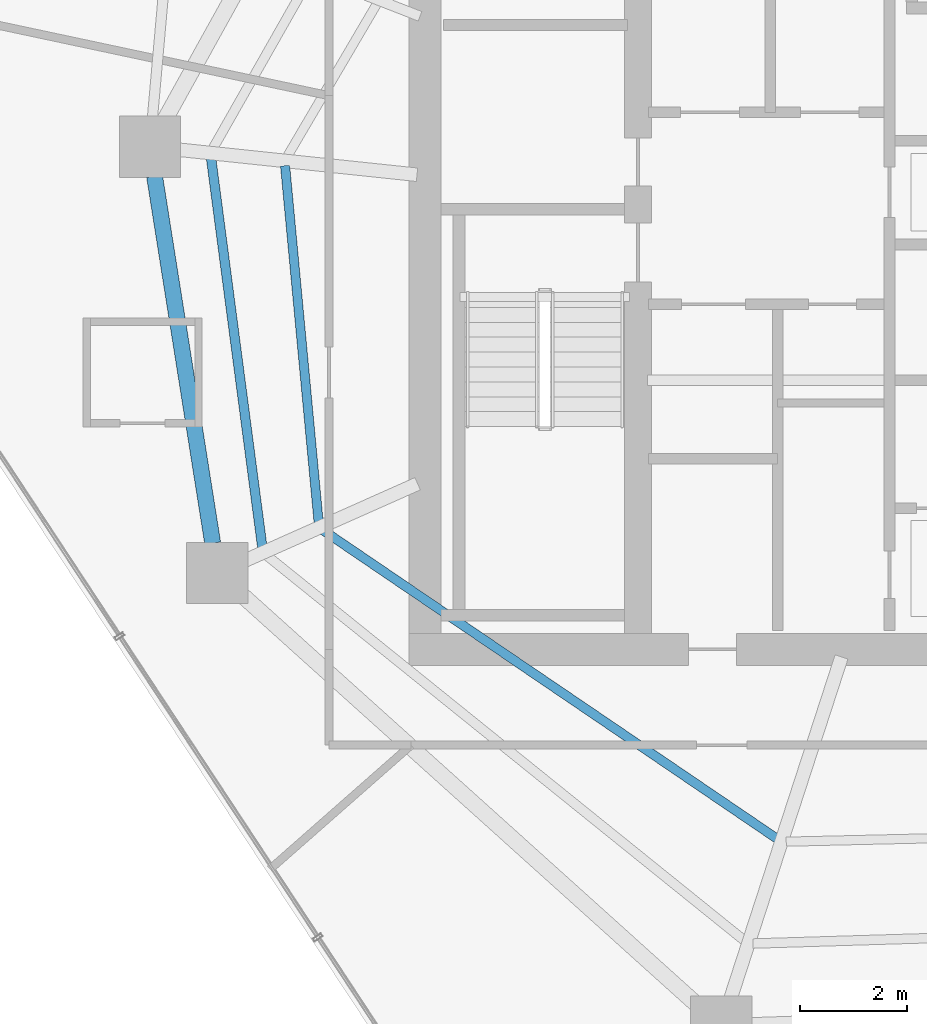
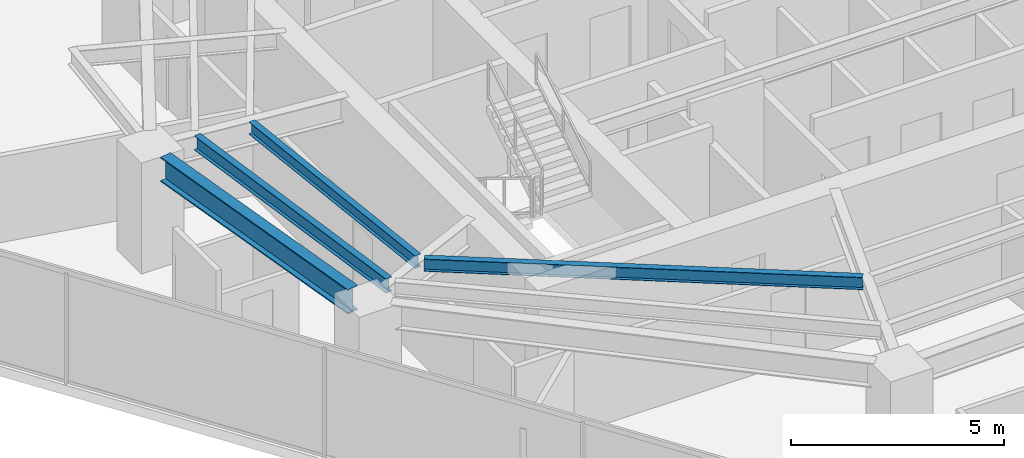
# One storey, part 7 of 30: 4 beams.
"""IFC4 building model written with IfcOpenShell, lengths in metres."""

from ifc_helpers import new_model, si_unit, direction, frame, origin, origin_2d, place, context, subcontext, project, spatial, i_section, extrude, material, material_profile, profile_set, type_object, element, save


model = new_model("IFC4")

# Units and contexts
model_context = context("Model", 3, precision=1e-05, world=origin(), true_north=direction((0.0, 1.0)))
body_context = subcontext(model_context, "Body", "Model", "MODEL_VIEW")
ifc_project = project(units=[si_unit("LENGTHUNIT", "METRE"), si_unit("AREAUNIT", "SQUARE_METRE"), si_unit("VOLUMEUNIT", "CUBIC_METRE"), si_unit("PLANEANGLEUNIT", "RADIAN"), si_unit("MASSUNIT", "GRAM", prefix="KILO")], contexts=[model_context])

# Site, building, storey
site_placement = place(None, origin())
site = spatial("IfcSite", under=ifc_project, at=site_placement, CompositionType="ELEMENT")
building_placement = place(site_placement, origin())
building = spatial("IfcBuilding", under=site, at=building_placement, Name="Qarnah Convention Tower", CompositionType="ELEMENT")
storey_placement = place(building_placement, frame((0.0, 0.0, 79.800048828125)))
storey = spatial("IfcBuildingStorey", under=building, at=storey_placement, Name="L20", CompositionType="ELEMENT", Elevation=79.800048828125)

# Beams
ifc_material = material(Name="Structural steel S355JR", Category="steel")
ifc_material_profile_1 = material_profile(ifc_material, i_section(OverallWidth=0.172119140625, OverallDepth=0.35595703125, WebThickness=0.007080078125, FlangeThickness=0.011962890625, at=origin_2d()), Name="W360X51")
ifc_profile_set_1 = profile_set([ifc_material_profile_1], Name="Structural steel S355JR")
beam_type_1 = type_object("IfcBeamType", Name="BM-JST-W360", PredefinedType="JOIST", material=ifc_profile_set_1)
beam_1_placement = place(storey_placement, frame((24.174072265625, 27.679931640625, 2.991943359375), z_axis=(0.093676486558, -0.995602689764, 0.0), x_axis=(0.995602689764, 0.093676486558, 0.0)))
element("IfcBeam", 1, at=beam_1_placement, inside=storey, type_object=beam_type_1, Name="L20 joist BM-L20-IJST-05", PredefinedType="JOIST", context=body_context, shape_type="SweptSolid", body=[
    extrude(i_section(OverallWidth=0.172119140625, OverallDepth=0.35595703125, WebThickness=0.007080078125, FlangeThickness=0.011962890625, at=origin_2d()), origin(), (0.0, 0.0, 1.0), 6.734375),
])
beam_2_placement = place(storey_placement, frame((24.886962890625, 20.833984375, 2.991943359375), z_axis=(0.827160221011, -0.561966163374, 0.0), x_axis=(0.561966163374, 0.827160221011, 0.0)))
element("IfcBeam", 2, at=beam_2_placement, inside=storey, type_object=beam_type_1, Name="L20 joist BM-L20-IJST-06", PredefinedType="JOIST", context=body_context, shape_type="SweptSolid", body=[
    extrude(i_section(OverallWidth=0.172119140625, OverallDepth=0.35595703125, WebThickness=0.007080078125, FlangeThickness=0.011962890625, at=origin_2d()), origin(), (0.0, 0.0, 1.0), 10.313720703125),
])
ifc_material_profile_2 = material_profile(ifc_material, i_section(OverallWidth=0.177978515625, OverallDepth=0.407958984375, WebThickness=0.008056640625, FlangeThickness=0.012939453125, at=origin_2d()), Name="W410X60")
ifc_profile_set_2 = profile_set([ifc_material_profile_2], Name="Structural steel S355JR")
beam_type_2 = type_object("IfcBeamType", Name="BM-JST-W410", PredefinedType="JOIST", material=ifc_profile_set_2)
beam_3_placement = place(storey_placement, frame((22.783935546875, 27.827880859375, 2.966064453125), z_axis=(0.130550291015, -0.991441688409, 0.0), x_axis=(0.991441688409, 0.130550291015, 0.0)))
element("IfcBeam", 3, at=beam_3_placement, inside=storey, type_object=beam_type_2, Name="L20 joist BM-L20-SJST-05", PredefinedType="JOIST", context=body_context, shape_type="SweptSolid", body=[
    extrude(i_section(OverallWidth=0.177978515625, OverallDepth=0.407958984375, WebThickness=0.008056640625, FlangeThickness=0.012939453125, at=origin_2d()), origin(), (0.0, 0.0, 1.0), 7.385009765625),
])
ifc_material_profile_3 = material_profile(ifc_material, i_section(OverallWidth=0.300048828125, OverallDepth=0.699951171875, WebThickness=0.01708984375, FlangeThickness=0.031982421875, at=origin_2d()), Name="HEB700")
ifc_profile_set_3 = profile_set([ifc_material_profile_3], Name="Structural steel S355JR")
beam_type_3 = type_object("IfcBeamType", Name="BM-RING-HEB700", PredefinedType="BEAM", material=ifc_profile_set_3)
beam_4_placement = place(storey_placement, frame((21.72412109375, 27.47802734375, 2.820068359375), z_axis=(0.156482310627, -0.987680761411, 0.0), x_axis=(0.987680761411, 0.156482310627, 0.0)))
element("IfcBeam", 4, at=beam_4_placement, inside=storey, type_object=beam_type_3, Name="L20 beam BM-L20-SPN-05", PredefinedType="BEAM", context=body_context, shape_type="SweptSolid", body=[
    extrude(i_section(OverallWidth=0.300048828125, OverallDepth=0.699951171875, WebThickness=0.01708984375, FlangeThickness=0.031982421875, at=origin_2d()), origin(), (0.0, 0.0, 1.0), 6.970947265625),
])

save(model, "model.ifc")
